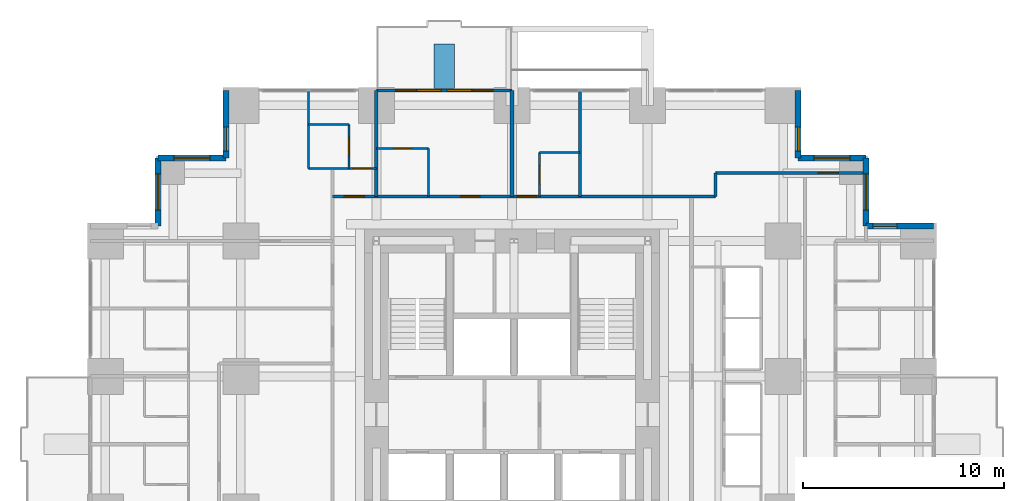
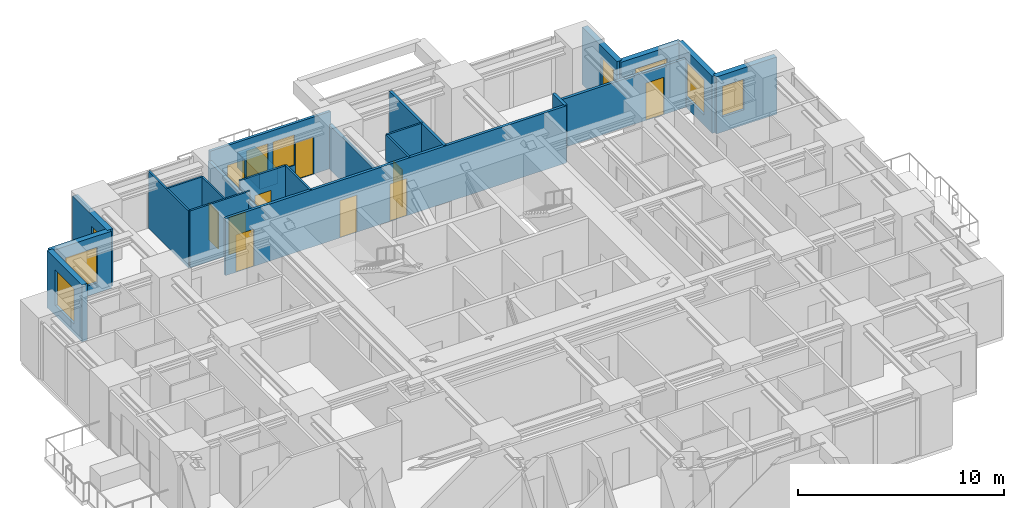
# One storey, part 11 of 13: 23 walls, 10 doors, 9 windows, 19 openings.
"""IFC4 building model written with IfcOpenShell, lengths in metres."""

from ifc_helpers import new_model, si_unit, direction, frame, frame_2d, origin, place, context, subcontext, project, spatial, rectangle, extrude, material, layer, layer_set, type_object, element, fill, save


model = new_model("IFC4")

# Units and contexts
model_context = context("Model", 3, precision=1e-05, world=origin(), true_north=direction((0.0, 1.0)))
body_context = subcontext(model_context, "Body", "Model", "MODEL_VIEW")
ifc_project = project(units=[si_unit("LENGTHUNIT", "METRE"), si_unit("AREAUNIT", "SQUARE_METRE"), si_unit("VOLUMEUNIT", "CUBIC_METRE"), si_unit("PLANEANGLEUNIT", "RADIAN"), si_unit("MASSUNIT", "GRAM", prefix="KILO")], contexts=[model_context])

# Site, building, storey
site_placement = place(None, origin())
site = spatial("IfcSite", under=ifc_project, at=site_placement, CompositionType="ELEMENT")
building_placement = place(site_placement, origin())
building = spatial("IfcBuilding", under=site, at=building_placement, Name="Nyansa Garden Tower", CompositionType="ELEMENT")
storey_placement = place(building_placement, frame((0.0, 0.0, 94.5)))
storey = spatial("IfcBuildingStorey", under=building, at=storey_placement, Name="L25", CompositionType="ELEMENT", Elevation=94.5)

# Walls
ifc_material_1 = material(Name="Dense blockwork, plastered both sides, 55 dB", Category="masonry")
ifc_layer_1 = layer(ifc_material_1, 0.175048828125)
ifc_layer_set_1 = layer_set([ifc_layer_1], Name="Acoustic party wall PW175")
wall_type_1 = type_object("IfcWallType", Name="Acoustic party wall PW175", PredefinedType="PARTITIONING", material=ifc_layer_set_1)
wall_1_placement = place(storey_placement, frame((13.5, 29.199951171875, 0.0), z_axis=(0.0, 0.0, 1.0), x_axis=(0.0, 1.0, 0.0)))
element("IfcWall", 1, at=wall_1_placement, inside=storey, type_object=wall_type_1, Name="Party wall", PredefinedType="PARTITIONING", context=body_context, shape_type="SweptSolid", body=[
    extrude(rectangle(XDim=5.283935546875, YDim=0.175048828125, at=frame_2d((2.64208984375, 0.0))), origin(), (0.0, 0.0, 1.0), 2.805908203125),
])
wall_2_placement = place(storey_placement, frame((20.25, 29.199951171875, 0.0), z_axis=(0.0, 0.0, 1.0), x_axis=(0.0, 1.0, 0.0)))
element("IfcWall", 2, at=wall_2_placement, inside=storey, type_object=wall_type_1, Name="Party wall", PredefinedType="PARTITIONING", context=body_context, shape_type="SweptSolid", body=[
    extrude(rectangle(XDim=5.283935546875, YDim=0.175048828125, at=frame_2d((2.64208984375, 0.0))), origin(), (0.0, 0.0, 1.0), 2.610107421875),
])

# Wall, openings, doors, windows
ifc_material_2 = material(Name="Black aluminium framed glazed screen", Category="aluminium")
ifc_layer_2 = layer(ifc_material_2, 0.14990234375)
ifc_layer_set_2 = layer_set([ifc_layer_2], Name="Balcony screen wall BW150")
wall_type_2 = type_object("IfcWallType", Name="Balcony screen wall BW150", PredefinedType="SOLIDWALL", material=ifc_layer_set_2)
wall_3_placement = place(storey_placement, frame((13.5, 34.5, 0.0), z_axis=(0.0, 0.0, 1.0), x_axis=(1.0, 0.0, 0.0)))
wall_3 = element("IfcWall", 3, at=wall_3_placement, inside=storey, type_object=wall_type_2, Name="Glazed screen wall L25 N", PredefinedType="SOLIDWALL", context=body_context, shape_type="SweptSolid", body=[
    extrude(rectangle(XDim=6.75, YDim=0.14990234375, at=frame_2d((3.375, 0.0))), origin(), (0.0, 0.0, 1.0), 3.375),
])
opening_1_placement = place(wall_3_placement, frame((0.96240234375, 0.0, 0.0)))
opening_1 = element("IfcOpeningElement", 4, at=opening_1_placement, cuts=wall_3, Name="Opening D20", PredefinedType="OPENING", context=body_context, shape_type="SweptSolid", body=[
    extrude(rectangle(XDim=1.0, YDim=2.199951171875, at=frame_2d((0.5, 1.10009765625))), frame((0.0, 0.0849609375, 0.0), z_axis=(0.0, -1.0, 0.0), x_axis=(1.0, 0.0, 0.0)), (0.0, 0.0, 1.0), 0.169921875),
])
opening_2_placement = place(wall_3_placement, frame((2.02490234375, 0.0, 0.89990234375)))
opening_2 = element("IfcOpeningElement", 5, at=opening_2_placement, cuts=wall_3, Name="Opening W6", PredefinedType="OPENING", context=body_context, shape_type="SweptSolid", body=[
    extrude(rectangle(XDim=1.199951171875, YDim=1.800048828125, at=frame_2d((0.60009765625, 0.89990234375))), frame((0.0, 0.0849609375, 0.0), z_axis=(0.0, -1.0, 0.0), x_axis=(1.0, 0.0, 0.0)), (0.0, 0.0, 1.0), 0.169921875),
])
opening_3_placement = place(wall_3_placement, frame((4.78759765625, 0.0, 0.0)))
opening_3 = element("IfcOpeningElement", 6, at=opening_3_placement, cuts=wall_3, Name="Opening D20", PredefinedType="OPENING", context=body_context, shape_type="SweptSolid", body=[
    extrude(rectangle(XDim=1.0, YDim=2.199951171875, at=frame_2d((0.5, 1.10009765625))), frame((0.0, 0.0849609375, 0.0), z_axis=(0.0, -1.0, 0.0), x_axis=(1.0, 0.0, 0.0)), (0.0, 0.0, 1.0), 0.169921875),
])
opening_4_placement = place(wall_3_placement, frame((3.52490234375, 0.0, 0.89990234375)))
opening_4 = element("IfcOpeningElement", 7, at=opening_4_placement, cuts=wall_3, Name="Opening W6", PredefinedType="OPENING", context=body_context, shape_type="SweptSolid", body=[
    extrude(rectangle(XDim=1.199951171875, YDim=1.800048828125, at=frame_2d((0.60009765625, 0.89990234375))), frame((0.0, 0.0849609375, 0.0), z_axis=(0.0, -1.0, 0.0), x_axis=(1.0, 0.0, 0.0)), (0.0, 0.0, 1.0), 0.169921875),
])
ifc_material_3 = material(Name="Black aluminium framed glazed door", Category="aluminium")
door_type_1 = type_object("IfcDoorType", Name="Balcony door D20 1000x2200", OperationType="NOTDEFINED", PredefinedType="DOOR", material=ifc_material_3)
door_1_placement = place(opening_1_placement, origin())
door_1 = element("IfcDoor", 8, at=door_1_placement, inside=storey, type_object=door_type_1, Name="Balcony door L25", OperationType="SINGLE_SWING_LEFT", OverallHeight=2.199951171875, OverallWidth=1.0, PredefinedType="DOOR", context=body_context, shape_type="SweptSolid", body=[
    extrude(rectangle(XDim=1.0, YDim=2.199951171875, at=frame_2d((0.5, 1.10009765625))), frame((0.0, 0.02490234375, 0.0), z_axis=(0.0, -1.0, 0.0), x_axis=(1.0, 0.0, 0.0)), (0.0, 0.0, 1.0), 0.050048828125),
])
fill(opening_1, door_1)
door_2_placement = place(opening_3_placement, origin())
door_2 = element("IfcDoor", 9, at=door_2_placement, inside=storey, type_object=door_type_1, Name="Balcony door L25", OperationType="SINGLE_SWING_RIGHT", OverallHeight=2.199951171875, OverallWidth=1.0, PredefinedType="DOOR", context=body_context, shape_type="SweptSolid", body=[
    extrude(rectangle(XDim=1.0, YDim=2.199951171875, at=frame_2d((0.5, 1.10009765625))), frame((0.0, 0.02490234375, 0.0), z_axis=(0.0, -1.0, 0.0), x_axis=(1.0, 0.0, 0.0)), (0.0, 0.0, 1.0), 0.050048828125),
])
fill(opening_3, door_2)
ifc_material_4 = material(Name="Black aluminium frame, dark tinted double glazing", Category="aluminium")
window_type_1 = type_object("IfcWindowType", Name="Balcony window W6 1200x1800", PartitioningType="SINGLE_PANEL", PredefinedType="WINDOW", material=ifc_material_4)
window_1_placement = place(opening_2_placement, origin())
window_1 = element("IfcWindow", 10, at=window_1_placement, inside=storey, type_object=window_type_1, Name="Window L25", OverallHeight=1.800048828125, OverallWidth=1.199951171875, PartitioningType="SINGLE_PANEL", PredefinedType="WINDOW", context=body_context, shape_type="SweptSolid", body=[
    extrude(rectangle(XDim=1.199951171875, YDim=1.800048828125, at=frame_2d((0.60009765625, 0.89990234375))), frame((0.0, 0.030029296875, 0.0), z_axis=(0.0, -1.0, 0.0), x_axis=(1.0, 0.0, 0.0)), (0.0, 0.0, 1.0), 0.06005859375),
])
fill(opening_2, window_1)
window_2_placement = place(opening_4_placement, origin())
window_2 = element("IfcWindow", 11, at=window_2_placement, inside=storey, type_object=window_type_1, Name="Window L25", OverallHeight=1.800048828125, OverallWidth=1.199951171875, PartitioningType="SINGLE_PANEL", PredefinedType="WINDOW", context=body_context, shape_type="SweptSolid", body=[
    extrude(rectangle(XDim=1.199951171875, YDim=1.800048828125, at=frame_2d((0.60009765625, 0.89990234375))), frame((0.0, 0.030029296875, 0.0), z_axis=(0.0, -1.0, 0.0), x_axis=(1.0, 0.0, 0.0)), (0.0, 0.0, 1.0), 0.06005859375),
])
fill(opening_4, window_2)

# Wall, openings, doors
ifc_material_5 = material(Name="Blockwork, plastered both sides", Category="masonry")
ifc_layer_3 = layer(ifc_material_5, 0.14990234375)
ifc_layer_set_3 = layer_set([ifc_layer_3], Name="Partition PW150")
wall_type_3 = type_object("IfcWallType", Name="Partition PW150", PredefinedType="PARTITIONING", material=ifc_layer_set_3)
wall_4_placement = place(storey_placement, frame((11.300048828125, 29.199951171875, 0.0), z_axis=(0.0, 0.0, 1.0), x_axis=(1.0, 0.0, 0.0)))
wall_4 = element("IfcWall", 12, at=wall_4_placement, inside=storey, type_object=wall_type_3, Name="Partition", PredefinedType="PARTITIONING", context=body_context, shape_type="SweptSolid", body=[
    extrude(rectangle(XDim=19.074951171875, YDim=0.14990234375, at=frame_2d((9.53759765625, 0.0))), origin(), (0.0, 0.0, 1.0), 3.375),
])
opening_5_placement = place(wall_4_placement, frame((6.39990234375, 0.0, 0.0)))
opening_5 = element("IfcOpeningElement", 13, at=opening_5_placement, cuts=wall_4, Name="Opening D14", PredefinedType="OPENING", context=body_context, shape_type="SweptSolid", body=[
    extrude(rectangle(XDim=0.949951171875, YDim=2.199951171875, at=frame_2d((0.47509765625, 1.10009765625))), frame((0.0, 0.0849609375, 0.0), z_axis=(0.0, -1.0, 0.0), x_axis=(1.0, 0.0, 0.0)), (0.0, 0.0, 1.0), 0.169921875),
])
opening_6_placement = place(wall_4_placement, frame((9.199951171875, 0.0, 0.0)))
opening_6 = element("IfcOpeningElement", 14, at=opening_6_placement, cuts=wall_4, Name="Opening D14", PredefinedType="OPENING", context=body_context, shape_type="SweptSolid", body=[
    extrude(rectangle(XDim=0.949951171875, YDim=2.199951171875, at=frame_2d((0.47509765625, 1.10009765625))), frame((0.0, 0.0849609375, 0.0), z_axis=(0.0, -1.0, 0.0), x_axis=(1.0, 0.0, 0.0)), (0.0, 0.0, 1.0), 0.169921875),
])
opening_7_placement = place(wall_4_placement, frame((0.60009765625, 0.0, 0.0)))
opening_7 = element("IfcOpeningElement", 15, at=opening_7_placement, cuts=wall_4, Name="Opening D03", PredefinedType="OPENING", context=body_context, shape_type="SweptSolid", body=[
    extrude(rectangle(XDim=1.0, YDim=2.199951171875, at=frame_2d((0.5, 1.10009765625))), frame((0.0, 0.0849609375, 0.0), z_axis=(0.0, -1.0, 0.0), x_axis=(1.0, 0.0, 0.0)), (0.0, 0.0, 1.0), 0.169921875),
])
ifc_material_6 = material(Name="Timber flush door, 60 minute fire resisting", Category="wood")
door_type_2 = type_object("IfcDoorType", Name="Cluster entrance door D03 1000x2200", OperationType="SINGLE_SWING_LEFT", PredefinedType="DOOR", material=ifc_material_6)
door_3_placement = place(opening_7_placement, origin())
door_3 = element("IfcDoor", 16, at=door_3_placement, inside=storey, type_object=door_type_2, Name="Door L25-050", OperationType="SINGLE_SWING_LEFT", OverallHeight=2.199951171875, OverallWidth=1.0, PredefinedType="DOOR", context=body_context, shape_type="SweptSolid", body=[
    extrude(rectangle(XDim=1.0, YDim=2.199951171875, at=frame_2d((0.5, 1.10009765625))), frame((0.0, 0.02490234375, 0.0), z_axis=(0.0, -1.0, 0.0), x_axis=(1.0, 0.0, 0.0)), (0.0, 0.0, 1.0), 0.050048828125),
])
fill(opening_7, door_3)
ifc_material_7 = material(Name="Timber flush door, 60 minute fire resisting, self-closing", Category="wood")
door_type_3 = type_object("IfcDoorType", Name="Studio entrance door D14 950x2200", OperationType="SINGLE_SWING_LEFT", PredefinedType="DOOR", material=ifc_material_7)
door_4_placement = place(opening_5_placement, origin())
door_4 = element("IfcDoor", 17, at=door_4_placement, inside=storey, type_object=door_type_3, Name="Door L25-044", OperationType="SINGLE_SWING_LEFT", OverallHeight=2.199951171875, OverallWidth=0.949951171875, PredefinedType="DOOR", context=body_context, shape_type="SweptSolid", body=[
    extrude(rectangle(XDim=0.949951171875, YDim=2.199951171875, at=frame_2d((0.47509765625, 1.10009765625))), frame((0.0, 0.02490234375, 0.0), z_axis=(0.0, -1.0, 0.0), x_axis=(1.0, 0.0, 0.0)), (0.0, 0.0, 1.0), 0.050048828125),
])
fill(opening_5, door_4)
door_5_placement = place(opening_6_placement, origin())
door_5 = element("IfcDoor", 18, at=door_5_placement, inside=storey, type_object=door_type_3, Name="Door L25-048", OperationType="SINGLE_SWING_LEFT", OverallHeight=2.199951171875, OverallWidth=0.949951171875, PredefinedType="DOOR", context=body_context, shape_type="SweptSolid", body=[
    extrude(rectangle(XDim=0.949951171875, YDim=2.199951171875, at=frame_2d((0.47509765625, 1.10009765625))), frame((0.0, 0.02490234375, 0.0), z_axis=(0.0, -1.0, 0.0), x_axis=(1.0, 0.0, 0.0)), (0.0, 0.0, 1.0), 0.050048828125),
])
fill(opening_6, door_5)

# Walls
wall_5_placement = place(storey_placement, frame((23.625, 29.199951171875, 0.0), z_axis=(0.0, 0.0, 1.0), x_axis=(0.0, 1.0, 0.0)))
element("IfcWall", 19, at=wall_5_placement, inside=storey, type_object=wall_type_3, Name="Partition", PredefinedType="PARTITIONING", context=body_context, shape_type="SweptSolid", body=[
    extrude(rectangle(XDim=5.283935546875, YDim=0.14990234375, at=frame_2d((2.64208984375, 0.0))), origin(), (0.0, 0.0, 1.0), 3.375),
])
wall_6_placement = place(storey_placement, frame((30.375, 29.199951171875, 0.0), z_axis=(0.0, 0.0, 1.0), x_axis=(0.0, 1.0, 0.0)))
element("IfcWall", 20, at=wall_6_placement, inside=storey, type_object=wall_type_3, Name="Partition", PredefinedType="PARTITIONING", context=body_context, shape_type="SweptSolid", body=[
    extrude(rectangle(XDim=1.175048828125, YDim=0.14990234375, at=frame_2d((0.58740234375, 0.0))), origin(), (0.0, 0.0, 1.0), 3.375),
])

# Wall, opening, door
wall_7_placement = place(storey_placement, frame((30.375, 30.375, 0.0), z_axis=(0.0, 0.0, 1.0), x_axis=(1.0, 0.0, 0.0)))
wall_7 = element("IfcWall", 21, at=wall_7_placement, inside=storey, type_object=wall_type_3, Name="Partition", PredefinedType="PARTITIONING", context=body_context, shape_type="SweptSolid", body=[
    extrude(rectangle(XDim=7.35009765625, YDim=0.14990234375, at=frame_2d((3.675048828125, 0.0))), origin(), (0.0, 0.0, 1.0), 2.876953125),
])
opening_8_placement = place(wall_7_placement, frame((5.125, 0.0, 0.0)))
opening_8 = element("IfcOpeningElement", 22, at=opening_8_placement, cuts=wall_7, Name="Opening D03", PredefinedType="OPENING", context=body_context, shape_type="SweptSolid", body=[
    extrude(rectangle(XDim=1.0, YDim=2.199951171875, at=frame_2d((0.5, 1.10009765625))), frame((0.0, 0.0849609375, 0.0), z_axis=(0.0, -1.0, 0.0), x_axis=(1.0, 0.0, 0.0)), (0.0, 0.0, 1.0), 0.169921875),
])
door_6_placement = place(opening_8_placement, origin())
door_6 = element("IfcDoor", 23, at=door_6_placement, inside=storey, type_object=door_type_2, Name="Door L25-043", OperationType="SINGLE_SWING_LEFT", OverallHeight=2.199951171875, OverallWidth=1.0, PredefinedType="DOOR", context=body_context, shape_type="SweptSolid", body=[
    extrude(rectangle(XDim=1.0, YDim=2.199951171875, at=frame_2d((0.5, 1.10009765625))), frame((0.0, 0.02490234375, 0.0), z_axis=(0.0, -1.0, 0.0), x_axis=(1.0, 0.0, 0.0)), (0.0, 0.0, 1.0), 0.050048828125),
])
fill(opening_8, door_6)

# Wall, opening, window
ifc_material_8 = material(Name="Turquoise glazed tile on concrete blockwork", Category="masonry")
ifc_layer_4 = layer(ifc_material_8, 0.300048828125)
ifc_layer_set_4 = layer_set([ifc_layer_4], Name="Tiled corner wall TW300")
wall_type_4 = type_object("IfcWallType", Name="Tiled corner wall TW300", PredefinedType="SOLIDWALL", material=ifc_layer_set_4)
wall_8_placement = place(storey_placement, frame((41.25, 27.75, 0.0), z_axis=(0.0, 0.0, 1.0), x_axis=(-1.0, 0.0, 0.0)))
wall_8 = element("IfcWall", 24, at=wall_8_placement, inside=storey, type_object=wall_type_4, Name="Tiled corner wall L25", PredefinedType="SOLIDWALL", context=body_context, shape_type="SweptSolid", body=[
    extrude(rectangle(XDim=3.375, YDim=0.300048828125, at=frame_2d((1.6875, 0.0))), origin(), (0.0, 0.0, 1.0), 3.375),
])
opening_9_placement = place(wall_8_placement, frame((1.83251953125, 0.0, 0.89990234375)))
opening_9 = element("IfcOpeningElement", 25, at=opening_9_placement, cuts=wall_8, Name="Opening W4", PredefinedType="OPENING", context=body_context, shape_type="SweptSolid", body=[
    extrude(rectangle(XDim=1.199951171875, YDim=1.800048828125, at=frame_2d((0.60009765625, 0.89990234375))), frame((0.0, 0.159912109375, 0.0), z_axis=(0.0, -1.0, 0.0), x_axis=(1.0, 0.0, 0.0)), (0.0, 0.0, 1.0), 0.320068359375),
])
ifc_material_9 = material(Name="Black aluminium frame, dark tinted double glazing", Category="aluminium")
window_type_2 = type_object("IfcWindowType", Name="Window W4 1200x1800", PartitioningType="SINGLE_PANEL", PredefinedType="WINDOW", material=ifc_material_9)
window_3_placement = place(opening_9_placement, origin())
window_3 = element("IfcWindow", 26, at=window_3_placement, inside=storey, type_object=window_type_2, Name="Corner window L25", OverallHeight=1.800048828125, OverallWidth=1.199951171875, PartitioningType="SINGLE_PANEL", PredefinedType="WINDOW", context=body_context, shape_type="SweptSolid", body=[
    extrude(rectangle(XDim=1.199951171875, YDim=1.800048828125, at=frame_2d((0.60009765625, 0.89990234375))), frame((0.0, 0.030029296875, 0.0), z_axis=(0.0, -1.0, 0.0), x_axis=(1.0, 0.0, 0.0)), (0.0, 0.0, 1.0), 0.06005859375),
])
fill(opening_9, window_3)

wall_9_placement = place(storey_placement, frame((37.875, 27.75, 0.0), z_axis=(0.0, 0.0, 1.0), x_axis=(0.0, 1.0, 0.0)))
wall_9 = element("IfcWall", 27, at=wall_9_placement, inside=storey, type_object=wall_type_4, Name="Tiled corner wall L25", PredefinedType="SOLIDWALL", context=body_context, shape_type="SweptSolid", body=[
    extrude(rectangle(XDim=3.375, YDim=0.300048828125, at=frame_2d((1.6875, 0.0))), origin(), (0.0, 0.0, 1.0), 3.375),
])
opening_10_placement = place(wall_9_placement, frame((0.78759765625, 0.0, 0.60009765625)))
opening_10 = element("IfcOpeningElement", 28, at=opening_10_placement, cuts=wall_9, Name="Opening W2", PredefinedType="OPENING", context=body_context, shape_type="SweptSolid", body=[
    extrude(rectangle(XDim=1.800048828125, YDim=2.10009765625, at=frame_2d((0.89990234375, 1.050048828125))), frame((0.0, 0.159912109375, 0.0), z_axis=(0.0, -1.0, 0.0), x_axis=(1.0, 0.0, 0.0)), (0.0, 0.0, 1.0), 0.320068359375),
])
ifc_material_10 = material(Name="Black aluminium frame, dark tinted double glazing", Category="aluminium")
window_type_3 = type_object("IfcWindowType", Name="Window W2 1800x2100", PartitioningType="SINGLE_PANEL", PredefinedType="WINDOW", material=ifc_material_10)
window_4_placement = place(opening_10_placement, origin())
window_4 = element("IfcWindow", 29, at=window_4_placement, inside=storey, type_object=window_type_3, Name="Corner window L25", OverallHeight=2.10009765625, OverallWidth=1.800048828125, PartitioningType="SINGLE_PANEL", PredefinedType="WINDOW", context=body_context, shape_type="SweptSolid", body=[
    extrude(rectangle(XDim=1.800048828125, YDim=2.10009765625, at=frame_2d((0.89990234375, 1.050048828125))), frame((0.0, 0.030029296875, 0.0), z_axis=(0.0, -1.0, 0.0), x_axis=(1.0, 0.0, 0.0)), (0.0, 0.0, 1.0), 0.06005859375),
])
fill(opening_10, window_4)

wall_10_placement = place(storey_placement, frame((37.875, 31.125, 0.0), z_axis=(0.0, 0.0, 1.0), x_axis=(-1.0, 0.0, 0.0)))
wall_10 = element("IfcWall", 30, at=wall_10_placement, inside=storey, type_object=wall_type_4, Name="Tiled corner wall L25", PredefinedType="SOLIDWALL", context=body_context, shape_type="SweptSolid", body=[
    extrude(rectangle(XDim=3.375, YDim=0.300048828125, at=frame_2d((1.6875, 0.0))), origin(), (0.0, 0.0, 1.0), 3.375),
])
opening_11_placement = place(wall_10_placement, frame((0.78759765625, 0.0, 0.60009765625)))
opening_11 = element("IfcOpeningElement", 31, at=opening_11_placement, cuts=wall_10, Name="Opening W2", PredefinedType="OPENING", context=body_context, shape_type="SweptSolid", body=[
    extrude(rectangle(XDim=1.800048828125, YDim=2.10009765625, at=frame_2d((0.89990234375, 1.050048828125))), frame((0.0, 0.159912109375, 0.0), z_axis=(0.0, -1.0, 0.0), x_axis=(1.0, 0.0, 0.0)), (0.0, 0.0, 1.0), 0.320068359375),
])
window_5_placement = place(opening_11_placement, origin())
window_5 = element("IfcWindow", 32, at=window_5_placement, inside=storey, type_object=window_type_3, Name="Corner window L25", OverallHeight=2.10009765625, OverallWidth=1.800048828125, PartitioningType="SINGLE_PANEL", PredefinedType="WINDOW", context=body_context, shape_type="SweptSolid", body=[
    extrude(rectangle(XDim=1.800048828125, YDim=2.10009765625, at=frame_2d((0.89990234375, 1.050048828125))), frame((0.0, 0.030029296875, 0.0), z_axis=(0.0, -1.0, 0.0), x_axis=(1.0, 0.0, 0.0)), (0.0, 0.0, 1.0), 0.06005859375),
])
fill(opening_11, window_5)

wall_11_placement = place(storey_placement, frame((34.5, 31.125, 0.0), z_axis=(0.0, 0.0, 1.0), x_axis=(0.0, 1.0, 0.0)))
wall_11 = element("IfcWall", 33, at=wall_11_placement, inside=storey, type_object=wall_type_4, Name="Tiled corner wall L25", PredefinedType="SOLIDWALL", context=body_context, shape_type="SweptSolid", body=[
    extrude(rectangle(XDim=3.375, YDim=0.300048828125, at=frame_2d((1.6875, 0.0))), origin(), (0.0, 0.0, 1.0), 3.375),
])
opening_12_placement = place(wall_11_placement, frame((0.342529296875, 0.0, 0.89990234375)))
opening_12 = element("IfcOpeningElement", 34, at=opening_12_placement, cuts=wall_11, Name="Opening W4", PredefinedType="OPENING", context=body_context, shape_type="SweptSolid", body=[
    extrude(rectangle(XDim=1.199951171875, YDim=1.800048828125, at=frame_2d((0.60009765625, 0.89990234375))), frame((0.0, 0.159912109375, 0.0), z_axis=(0.0, -1.0, 0.0), x_axis=(1.0, 0.0, 0.0)), (0.0, 0.0, 1.0), 0.320068359375),
])
window_6_placement = place(opening_12_placement, origin())
window_6 = element("IfcWindow", 35, at=window_6_placement, inside=storey, type_object=window_type_2, Name="Corner window L25", OverallHeight=1.800048828125, OverallWidth=1.199951171875, PartitioningType="SINGLE_PANEL", PredefinedType="WINDOW", context=body_context, shape_type="SweptSolid", body=[
    extrude(rectangle(XDim=1.199951171875, YDim=1.800048828125, at=frame_2d((0.60009765625, 0.89990234375))), frame((0.0, 0.030029296875, 0.0), z_axis=(0.0, -1.0, 0.0), x_axis=(1.0, 0.0, 0.0)), (0.0, 0.0, 1.0), 0.06005859375),
])
fill(opening_12, window_6)

wall_12_placement = place(storey_placement, frame((6.0, 34.5, 0.0), z_axis=(0.0, 0.0, 1.0), x_axis=(0.0, -1.0, 0.0)))
wall_12 = element("IfcWall", 36, at=wall_12_placement, inside=storey, type_object=wall_type_4, Name="Tiled corner wall L25", PredefinedType="SOLIDWALL", context=body_context, shape_type="SweptSolid", body=[
    extrude(rectangle(XDim=3.375, YDim=0.300048828125, at=frame_2d((1.6875, 0.0))), origin(), (0.0, 0.0, 1.0), 3.375),
])
opening_13_placement = place(wall_12_placement, frame((1.83251953125, 0.0, 0.89990234375)))
opening_13 = element("IfcOpeningElement", 37, at=opening_13_placement, cuts=wall_12, Name="Opening W4", PredefinedType="OPENING", context=body_context, shape_type="SweptSolid", body=[
    extrude(rectangle(XDim=1.199951171875, YDim=1.800048828125, at=frame_2d((0.60009765625, 0.89990234375))), frame((0.0, 0.159912109375, 0.0), z_axis=(0.0, -1.0, 0.0), x_axis=(1.0, 0.0, 0.0)), (0.0, 0.0, 1.0), 0.320068359375),
])
window_7_placement = place(opening_13_placement, origin())
window_7 = element("IfcWindow", 38, at=window_7_placement, inside=storey, type_object=window_type_2, Name="Corner window L25", OverallHeight=1.800048828125, OverallWidth=1.199951171875, PartitioningType="SINGLE_PANEL", PredefinedType="WINDOW", context=body_context, shape_type="SweptSolid", body=[
    extrude(rectangle(XDim=1.199951171875, YDim=1.800048828125, at=frame_2d((0.60009765625, 0.89990234375))), frame((0.0, 0.030029296875, 0.0), z_axis=(0.0, -1.0, 0.0), x_axis=(1.0, 0.0, 0.0)), (0.0, 0.0, 1.0), 0.06005859375),
])
fill(opening_13, window_7)

wall_13_placement = place(storey_placement, frame((6.0, 31.125, 0.0), z_axis=(0.0, 0.0, 1.0), x_axis=(-1.0, 0.0, 0.0)))
wall_13 = element("IfcWall", 39, at=wall_13_placement, inside=storey, type_object=wall_type_4, Name="Tiled corner wall L25", PredefinedType="SOLIDWALL", context=body_context, shape_type="SweptSolid", body=[
    extrude(rectangle(XDim=3.375, YDim=0.300048828125, at=frame_2d((1.6875, 0.0))), origin(), (0.0, 0.0, 1.0), 3.375),
])
opening_14_placement = place(wall_13_placement, frame((0.78759765625, 0.0, 0.60009765625)))
opening_14 = element("IfcOpeningElement", 40, at=opening_14_placement, cuts=wall_13, Name="Opening W2", PredefinedType="OPENING", context=body_context, shape_type="SweptSolid", body=[
    extrude(rectangle(XDim=1.800048828125, YDim=2.10009765625, at=frame_2d((0.89990234375, 1.050048828125))), frame((0.0, 0.159912109375, 0.0), z_axis=(0.0, -1.0, 0.0), x_axis=(1.0, 0.0, 0.0)), (0.0, 0.0, 1.0), 0.320068359375),
])
window_8_placement = place(opening_14_placement, origin())
window_8 = element("IfcWindow", 41, at=window_8_placement, inside=storey, type_object=window_type_3, Name="Corner window L25", OverallHeight=2.10009765625, OverallWidth=1.800048828125, PartitioningType="SINGLE_PANEL", PredefinedType="WINDOW", context=body_context, shape_type="SweptSolid", body=[
    extrude(rectangle(XDim=1.800048828125, YDim=2.10009765625, at=frame_2d((0.89990234375, 1.050048828125))), frame((0.0, 0.030029296875, 0.0), z_axis=(0.0, -1.0, 0.0), x_axis=(1.0, 0.0, 0.0)), (0.0, 0.0, 1.0), 0.06005859375),
])
fill(opening_14, window_8)

wall_14_placement = place(storey_placement, frame((2.625, 31.125, 0.0), z_axis=(0.0, 0.0, 1.0), x_axis=(0.0, -1.0, 0.0)))
wall_14 = element("IfcWall", 42, at=wall_14_placement, inside=storey, type_object=wall_type_4, Name="Tiled corner wall L25", PredefinedType="SOLIDWALL", context=body_context, shape_type="SweptSolid", body=[
    extrude(rectangle(XDim=3.375, YDim=0.300048828125, at=frame_2d((1.6875, 0.0))), origin(), (0.0, 0.0, 1.0), 3.375),
])
opening_15_placement = place(wall_14_placement, frame((0.78759765625, 0.0, 0.60009765625)))
opening_15 = element("IfcOpeningElement", 43, at=opening_15_placement, cuts=wall_14, Name="Opening W2", PredefinedType="OPENING", context=body_context, shape_type="SweptSolid", body=[
    extrude(rectangle(XDim=1.800048828125, YDim=2.10009765625, at=frame_2d((0.89990234375, 1.050048828125))), frame((0.0, 0.159912109375, 0.0), z_axis=(0.0, -1.0, 0.0), x_axis=(1.0, 0.0, 0.0)), (0.0, 0.0, 1.0), 0.320068359375),
])
window_9_placement = place(opening_15_placement, origin())
window_9 = element("IfcWindow", 44, at=window_9_placement, inside=storey, type_object=window_type_3, Name="Corner window L25", OverallHeight=2.10009765625, OverallWidth=1.800048828125, PartitioningType="SINGLE_PANEL", PredefinedType="WINDOW", context=body_context, shape_type="SweptSolid", body=[
    extrude(rectangle(XDim=1.800048828125, YDim=2.10009765625, at=frame_2d((0.89990234375, 1.050048828125))), frame((0.0, 0.030029296875, 0.0), z_axis=(0.0, -1.0, 0.0), x_axis=(1.0, 0.0, 0.0)), (0.0, 0.0, 1.0), 0.06005859375),
])
fill(opening_15, window_9)

# Walls
ifc_material_11 = material(Name="Concrete C40/50 planter, waterproofed", Category="concrete")
ifc_layer_5 = layer(ifc_material_11, 1.0)
ifc_layer_set_5 = layer_set([ifc_layer_5], Name="Tree planter TP1")
wall_type_5 = type_object("IfcWallType", Name="Tree planter TP1", PredefinedType="USERDEFINED", material=ifc_layer_set_5)
wall_15_placement = place(storey_placement, frame((16.875, 34.60009765625, 0.0), z_axis=(0.0, 0.0, 1.0), x_axis=(0.0, 1.0, 0.0)))
element("IfcWall", 45, at=wall_15_placement, inside=storey, type_object=wall_type_5, Name="Tree planter L25", ObjectType="TREE PLANTER", PredefinedType="USERDEFINED", context=body_context, shape_type="SweptSolid", body=[
    extrude(rectangle(XDim=2.199951171875, YDim=1.0, at=frame_2d((1.10009765625, 0.0))), origin(), (0.0, 0.0, 1.0), 0.89990234375),
])
ifc_material_12 = material(Name="Moisture resistant board on steel studs, tiled", Category="steel")
ifc_layer_6 = layer(ifc_material_12, 0.10009765625)
ifc_layer_set_6 = layer_set([ifc_layer_6], Name="Wet wall PW100")
wall_type_6 = type_object("IfcWallType", Name="Wet wall PW100", PredefinedType="PARTITIONING", material=ifc_layer_set_6)
wall_16_placement = place(storey_placement, frame((10.125, 30.60009765625, 0.0), z_axis=(0.0, 0.0, 1.0), x_axis=(0.0, 1.0, 0.0)))
element("IfcWall", 46, at=wall_16_placement, inside=storey, type_object=wall_type_6, Name="Wet wall", PredefinedType="PARTITIONING", context=body_context, shape_type="SweptSolid", body=[
    extrude(rectangle(XDim=3.8837890625, YDim=0.10009765625, at=frame_2d((1.94189453125, 0.0))), origin(), (0.0, 0.0, 1.0), 3.375),
])

# Wall, opening, door
wall_17_placement = place(storey_placement, frame((10.125, 30.60009765625, 0.0), z_axis=(0.0, 0.0, 1.0), x_axis=(1.0, 0.0, 0.0)))
wall_17 = element("IfcWall", 47, at=wall_17_placement, inside=storey, type_object=wall_type_6, Name="Wet wall", PredefinedType="PARTITIONING", context=body_context, shape_type="SweptSolid", body=[
    extrude(rectangle(XDim=3.375, YDim=0.10009765625, at=frame_2d((1.6875, 0.0))), origin(), (0.0, 0.0, 1.0), 3.375),
])
opening_16_placement = place(wall_17_placement, frame((2.199951171875, 0.0, 0.0)))
opening_16 = element("IfcOpeningElement", 48, at=opening_16_placement, cuts=wall_17, Name="Opening D14", PredefinedType="OPENING", context=body_context, shape_type="SweptSolid", body=[
    extrude(rectangle(XDim=0.949951171875, YDim=2.199951171875, at=frame_2d((0.47509765625, 1.10009765625))), frame((0.0, 0.06005859375, 0.0), z_axis=(0.0, -1.0, 0.0), x_axis=(1.0, 0.0, 0.0)), (0.0, 0.0, 1.0), 0.1201171875),
])
door_7_placement = place(opening_16_placement, origin())
door_7 = element("IfcDoor", 49, at=door_7_placement, inside=storey, type_object=door_type_3, Name="Door L25-046", OperationType="SINGLE_SWING_LEFT", OverallHeight=2.199951171875, OverallWidth=0.949951171875, PredefinedType="DOOR", context=body_context, shape_type="SweptSolid", body=[
    extrude(rectangle(XDim=0.949951171875, YDim=2.199951171875, at=frame_2d((0.47509765625, 1.10009765625))), frame((0.0, 0.02490234375, 0.0), z_axis=(0.0, -1.0, 0.0), x_axis=(1.0, 0.0, 0.0)), (0.0, 0.0, 1.0), 0.050048828125),
])
fill(opening_16, door_7)

# Wall
wall_18_placement = place(storey_placement, frame((10.125, 32.800048828125, 0.0), z_axis=(0.0, 0.0, 1.0), x_axis=(1.0, 0.0, 0.0)))
element("IfcWall", 50, at=wall_18_placement, inside=storey, type_object=wall_type_6, Name="Wet wall", PredefinedType="PARTITIONING", context=body_context, shape_type="SweptSolid", body=[
    extrude(rectangle(XDim=2.0, YDim=0.10009765625, at=frame_2d((1.0, 0.0))), origin(), (0.0, 0.0, 1.0), 3.375),
])

# Wall, opening, door
wall_19_placement = place(storey_placement, frame((12.125, 30.60009765625, 0.0), z_axis=(0.0, 0.0, 1.0), x_axis=(0.0, 1.0, 0.0)))
wall_19 = element("IfcWall", 51, at=wall_19_placement, inside=storey, type_object=wall_type_6, Name="Wet wall", PredefinedType="PARTITIONING", context=body_context, shape_type="SweptSolid", body=[
    extrude(rectangle(XDim=2.199951171875, YDim=0.10009765625, at=frame_2d((1.10009765625, 0.0))), origin(), (0.0, 0.0, 1.0), 3.375),
])
opening_17_placement = place(wall_19_placement, frame((0.64990234375, 0.0, 0.0)))
opening_17 = element("IfcOpeningElement", 52, at=opening_17_placement, cuts=wall_19, Name="Opening D02", PredefinedType="OPENING", context=body_context, shape_type="SweptSolid", body=[
    extrude(rectangle(XDim=0.89990234375, YDim=2.199951171875, at=frame_2d((0.449951171875, 1.10009765625))), frame((0.0, 0.06005859375, 0.0), z_axis=(0.0, -1.0, 0.0), x_axis=(1.0, 0.0, 0.0)), (0.0, 0.0, 1.0), 0.1201171875),
])
ifc_material_13 = material(Name="Timber flush door", Category="wood")
door_type_4 = type_object("IfcDoorType", Name="En-suite door D02 900x2200", OperationType="SINGLE_SWING_RIGHT", PredefinedType="DOOR", material=ifc_material_13)
door_8_placement = place(opening_17_placement, origin())
door_8 = element("IfcDoor", 53, at=door_8_placement, inside=storey, type_object=door_type_4, Name="Door L25-047", OperationType="SINGLE_SWING_RIGHT", OverallHeight=2.199951171875, OverallWidth=0.89990234375, PredefinedType="DOOR", context=body_context, shape_type="SweptSolid", body=[
    extrude(rectangle(XDim=0.89990234375, YDim=2.199951171875, at=frame_2d((0.449951171875, 1.10009765625))), frame((0.0, 0.02490234375, 0.0), z_axis=(0.0, -1.0, 0.0), x_axis=(1.0, 0.0, 0.0)), (0.0, 0.0, 1.0), 0.050048828125),
])
fill(opening_17, door_8)

wall_20_placement = place(storey_placement, frame((13.5, 31.60009765625, 0.0), z_axis=(0.0, 0.0, 1.0), x_axis=(1.0, 0.0, 0.0)))
wall_20 = element("IfcWall", 54, at=wall_20_placement, inside=storey, type_object=wall_type_6, Name="Wet wall", PredefinedType="PARTITIONING", context=body_context, shape_type="SweptSolid", body=[
    extrude(rectangle(XDim=2.60009765625, YDim=0.10009765625, at=frame_2d((1.300048828125, 0.0))), origin(), (0.0, 0.0, 1.0), 3.375),
])
opening_18_placement = place(wall_20_placement, frame((0.85009765625, 0.0, 0.0)))
opening_18 = element("IfcOpeningElement", 55, at=opening_18_placement, cuts=wall_20, Name="Opening D02", PredefinedType="OPENING", context=body_context, shape_type="SweptSolid", body=[
    extrude(rectangle(XDim=0.89990234375, YDim=2.199951171875, at=frame_2d((0.449951171875, 1.10009765625))), frame((0.0, 0.06005859375, 0.0), z_axis=(0.0, -1.0, 0.0), x_axis=(1.0, 0.0, 0.0)), (0.0, 0.0, 1.0), 0.1201171875),
])
door_9_placement = place(opening_18_placement, origin())
door_9 = element("IfcDoor", 56, at=door_9_placement, inside=storey, type_object=door_type_4, Name="Door L25-045", OperationType="SINGLE_SWING_RIGHT", OverallHeight=2.199951171875, OverallWidth=0.89990234375, PredefinedType="DOOR", context=body_context, shape_type="SweptSolid", body=[
    extrude(rectangle(XDim=0.89990234375, YDim=2.199951171875, at=frame_2d((0.449951171875, 1.10009765625))), frame((0.0, 0.02490234375, 0.0), z_axis=(0.0, -1.0, 0.0), x_axis=(1.0, 0.0, 0.0)), (0.0, 0.0, 1.0), 0.050048828125),
])
fill(opening_18, door_9)

# Wall
wall_21_placement = place(storey_placement, frame((16.10009765625, 29.199951171875, 0.0), z_axis=(0.0, 0.0, 1.0), x_axis=(0.0, 1.0, 0.0)))
element("IfcWall", 57, at=wall_21_placement, inside=storey, type_object=wall_type_6, Name="Wet wall", PredefinedType="PARTITIONING", context=body_context, shape_type="SweptSolid", body=[
    extrude(rectangle(XDim=2.400146484375, YDim=0.10009765625, at=frame_2d((1.2001953125, 0.0))), origin(), (0.0, 0.0, 1.0), 3.375),
])

# Wall, opening, door
wall_22_placement = place(storey_placement, frame((21.625, 29.199951171875, 0.0), z_axis=(0.0, 0.0, 1.0), x_axis=(0.0, 1.0, 0.0)))
wall_22 = element("IfcWall", 58, at=wall_22_placement, inside=storey, type_object=wall_type_6, Name="Wet wall", PredefinedType="PARTITIONING", context=body_context, shape_type="SweptSolid", body=[
    extrude(rectangle(XDim=2.199951171875, YDim=0.10009765625, at=frame_2d((1.10009765625, 0.0))), origin(), (0.0, 0.0, 1.0), 3.375),
])
opening_19_placement = place(wall_22_placement, frame((0.64990234375, 0.0, 0.0)))
opening_19 = element("IfcOpeningElement", 59, at=opening_19_placement, cuts=wall_22, Name="Opening D02", PredefinedType="OPENING", context=body_context, shape_type="SweptSolid", body=[
    extrude(rectangle(XDim=0.89990234375, YDim=2.199951171875, at=frame_2d((0.449951171875, 1.10009765625))), frame((0.0, 0.06005859375, 0.0), z_axis=(0.0, -1.0, 0.0), x_axis=(1.0, 0.0, 0.0)), (0.0, 0.0, 1.0), 0.1201171875),
])
door_10_placement = place(opening_19_placement, origin())
door_10 = element("IfcDoor", 60, at=door_10_placement, inside=storey, type_object=door_type_4, Name="Door L25-049", OperationType="SINGLE_SWING_RIGHT", OverallHeight=2.199951171875, OverallWidth=0.89990234375, PredefinedType="DOOR", context=body_context, shape_type="SweptSolid", body=[
    extrude(rectangle(XDim=0.89990234375, YDim=2.199951171875, at=frame_2d((0.449951171875, 1.10009765625))), frame((0.0, 0.02490234375, 0.0), z_axis=(0.0, -1.0, 0.0), x_axis=(1.0, 0.0, 0.0)), (0.0, 0.0, 1.0), 0.050048828125),
])
fill(opening_19, door_10)

# Wall
wall_23_placement = place(storey_placement, frame((21.625, 31.39990234375, 0.0), z_axis=(0.0, 0.0, 1.0), x_axis=(1.0, 0.0, 0.0)))
element("IfcWall", 61, at=wall_23_placement, inside=storey, type_object=wall_type_6, Name="Wet wall", PredefinedType="PARTITIONING", context=body_context, shape_type="SweptSolid", body=[
    extrude(rectangle(XDim=2.0, YDim=0.10009765625, at=frame_2d((1.0, 0.0))), origin(), (0.0, 0.0, 1.0), 3.375),
])

save(model, "model.ifc")
